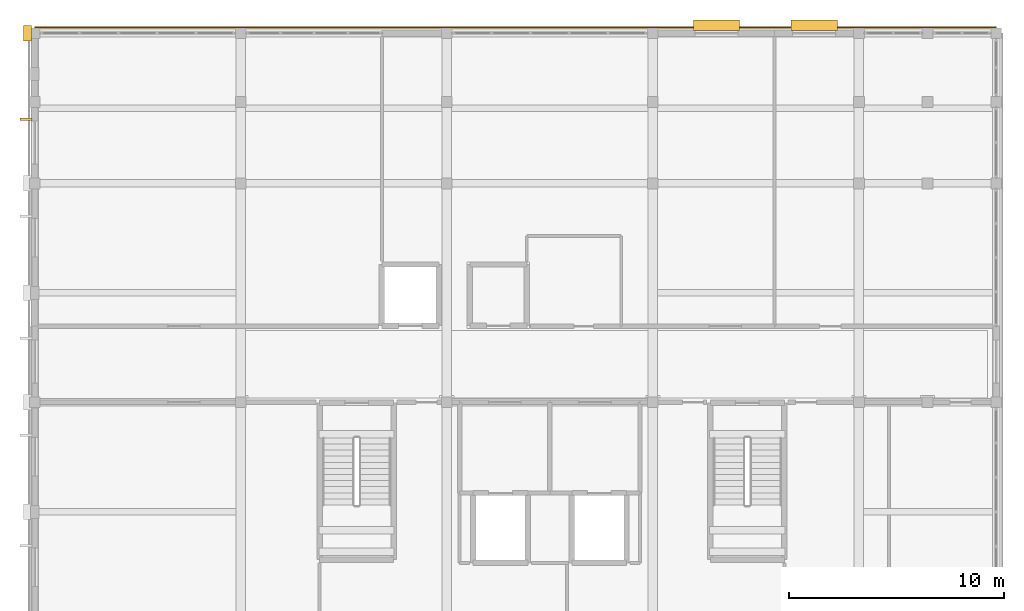
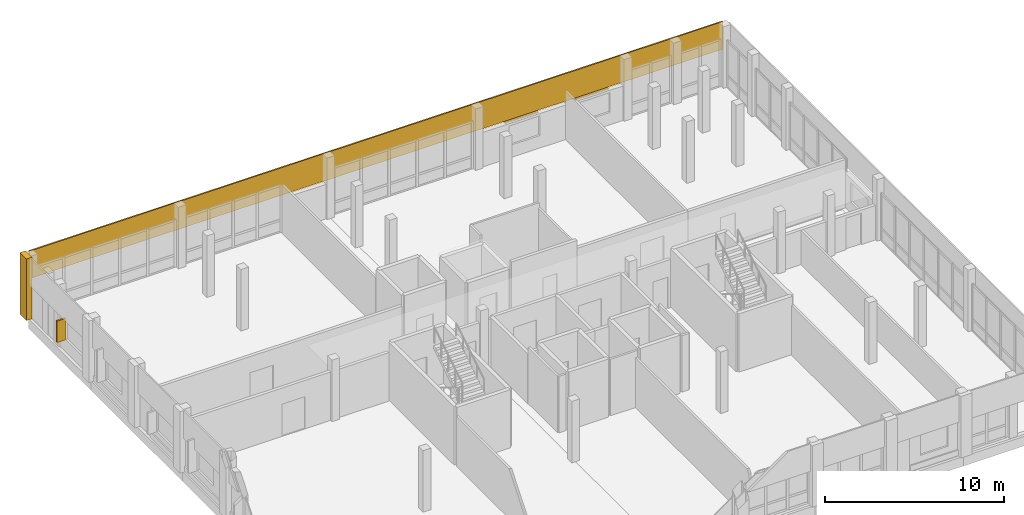
# One storey, part 29 of 29: 3 shading devices, 2 coverings.
"""IFC4 building model written with IfcOpenShell, lengths in metres."""

from ifc_helpers import new_model, si_unit, direction, frame, origin, origin_2d, place, context, subcontext, project, spatial, rectangle, extrude, material, layer, layer_set, type_object, element, save


model = new_model("IFC4")

# Units and contexts
model_context = context("Model", 3, precision=1e-05, world=origin(), true_north=direction((0.0, 1.0)))
body_context = subcontext(model_context, "Body", "Model", "MODEL_VIEW")
ifc_project = project(units=[si_unit("LENGTHUNIT", "METRE"), si_unit("AREAUNIT", "SQUARE_METRE"), si_unit("VOLUMEUNIT", "CUBIC_METRE"), si_unit("PLANEANGLEUNIT", "RADIAN"), si_unit("MASSUNIT", "GRAM", prefix="KILO")], contexts=[model_context])

# Site, building, storey
site_placement = place(None, origin())
site = spatial("IfcSite", under=ifc_project, at=site_placement, CompositionType="ELEMENT")
building_placement = place(site_placement, origin())
building = spatial("IfcBuilding", under=site, at=building_placement, Name="Vondelvale Polytechnic", CompositionType="ELEMENT")
storey_placement = place(building_placement, frame((0.0, 0.0, 26.39990234375)))
storey = spatial("IfcBuildingStorey", under=building, at=storey_placement, Name="L06", CompositionType="ELEMENT", Elevation=26.39990234375)

# Coverings
ifc_material_1 = material(Name="Amsterdam School iron-spot clinker clay brickwork", Category="masonry")
ifc_layer = layer(ifc_material_1, 0.090087890625)
ifc_layer_set = layer_set([ifc_layer], Name="COV-BRICK-RELIEF")
covering_type = type_object("IfcCoveringType", Name="COV-BRICK-RELIEF", PredefinedType="CLADDING", material=ifc_layer_set)
covering_1_placement = place(storey_placement, frame((22.39990234375, 37.864990234375, 2.320068359375), z_axis=(0.0, 0.0, 1.0), x_axis=(1.0, 0.0, 0.0)))
element("IfcCovering", 1, at=covering_1_placement, inside=storey, type_object=covering_type, Name="L06 exterior masonry spandrel band", PredefinedType="CLADDING", context=body_context, shape_type="SweptSolid", body=[
    extrude(rectangle(XDim=44.800048828125, YDim=0.090087890625, at=origin_2d()), origin(), (0.0, 0.0, 1.0), 1.8798828125),
])
covering_2_placement = place(storey_placement, frame((-0.340087890625, 37.60009765625, 0.0), z_axis=(0.0, 0.0, 1.0), x_axis=(1.0, 0.0, 0.0)))
element("IfcCovering", 2, at=covering_2_placement, inside=storey, type_object=covering_type, Name="L06 Classical street pilaster", PredefinedType="CLADDING", context=body_context, shape_type="SweptSolid", body=[
    extrude(rectangle(XDim=0.360107421875, YDim=0.719970703125, at=origin_2d()), origin(), (0.0, 0.0, 1.0), 4.199951171875),
])

# Shading devices
ifc_material_2 = material(Name="Anodised extruded aluminium 6063-T6", Category="aluminium")
shading_device_type_1 = type_object("IfcShadingDeviceType", Name="SHD-BRONZE-LOUVRE", PredefinedType="SHUTTER", material=ifc_material_2)
for number, where, z_axis, x_axis, name in (
    (3, (31.762939453125, 37.97509765625, 2.20751953125), (0.0, 0.0, 1.0), (1.0, 0.0, 0.0), "L06 horizontal bronze sun-louvre overhang"),
    (4, (36.31201171875, 37.97509765625, 2.20751953125), (0.0, 0.0, 1.0), (1.0, 0.0, 0.0), "L06 horizontal bronze sun-louvre overhang"),
):
    element("IfcShadingDevice", number, at=place(storey_placement, frame(where, z_axis=z_axis, x_axis=x_axis)), inside=storey, type_object=shading_device_type_1, Name=name, PredefinedType="SHUTTER", context=body_context, shape_type="SweptSolid", body=[
        extrude(rectangle(XDim=2.159912109375, YDim=0.47998046875, at=origin_2d()), origin(), (0.0, 0.0, 1.0), 0.0849609375),
    ])
ifc_material_3 = material(Name="Kiln-fired architectural terracotta", Category="masonry")
shading_device_type_2 = type_object("IfcShadingDeviceType", Name="SHD-TERRA-FIN-550", PredefinedType="JALOUSIE", material=ifc_material_3)
shading_device_placement = place(storey_placement, frame((-0.409912109375, 33.590087890625, 0.7900390625), z_axis=(0.0, 0.0, 1.0), x_axis=(0.0, 1.0, 0.0)))
element("IfcShadingDevice", 5, at=shading_device_placement, inside=storey, type_object=shading_device_type_2, Name="L06 vertical terracotta solar fin", PredefinedType="JALOUSIE", context=body_context, shape_type="SweptSolid", body=[
    extrude(rectangle(XDim=0.110107421875, YDim=0.550048828125, at=origin_2d()), origin(), (0.0, 0.0, 1.0), 1.469970703125),
])

save(model, "model.ifc")
